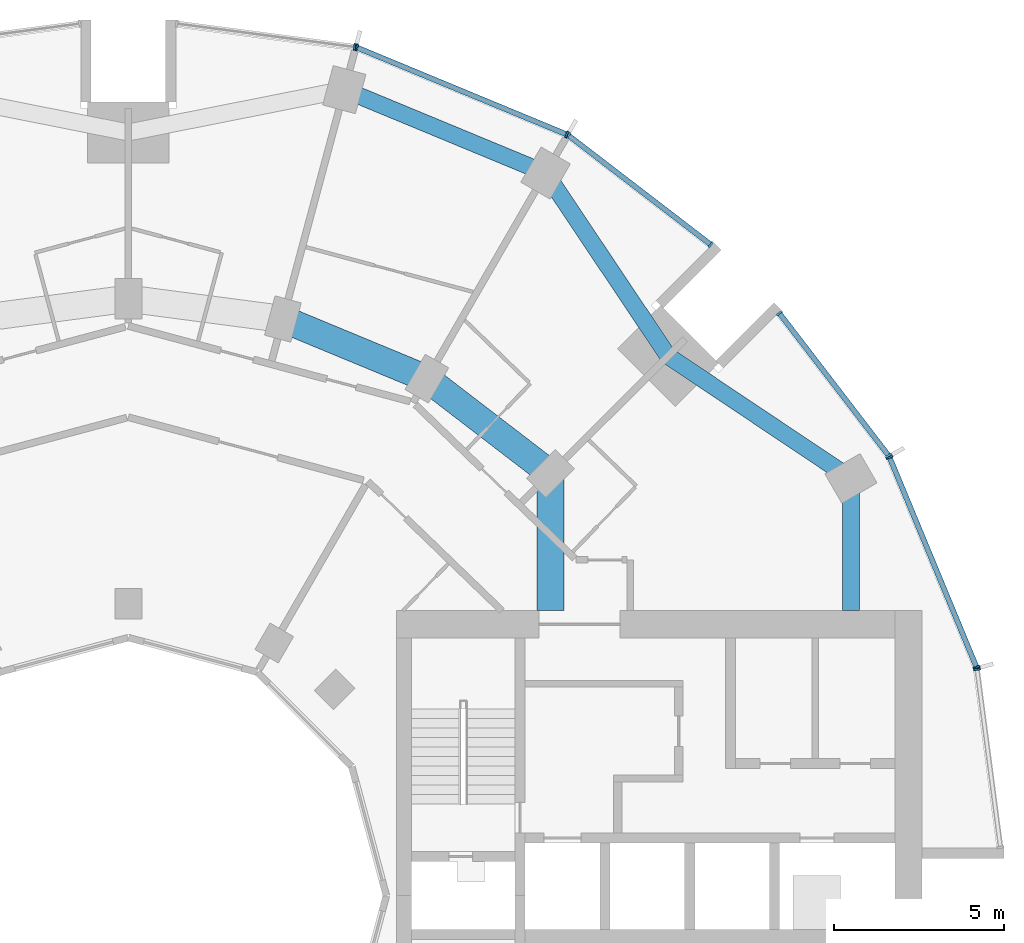
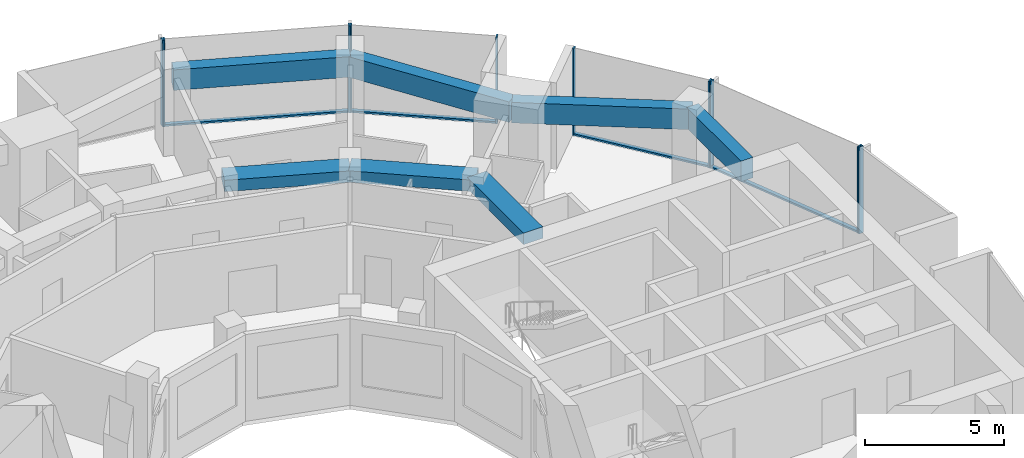
# One storey, part 6 of 15: 14 members, 7 beams, 6 elements without a shape of their own.
"""IFC4 building model written with IfcOpenShell, lengths in metres."""

from ifc_helpers import new_model, si_unit, direction, frame, origin, origin_2d, place, context, subcontext, project, spatial, rectangle, extrude, material, layer, layer_set, material_profile, profile_set, type_object, element, aggregate, save


model = new_model("IFC4")

# Units and contexts
model_context = context("Model", 3, precision=1e-05, world=origin(), true_north=direction((0.0, 1.0)))
body_context = subcontext(model_context, "Body", "Model", "MODEL_VIEW")
ifc_project = project(units=[si_unit("LENGTHUNIT", "METRE"), si_unit("AREAUNIT", "SQUARE_METRE"), si_unit("VOLUMEUNIT", "CUBIC_METRE"), si_unit("PLANEANGLEUNIT", "RADIAN"), si_unit("MASSUNIT", "GRAM", prefix="KILO")], contexts=[model_context])

# Site, building, storey
site_placement = place(None, origin())
site = spatial("IfcSite", under=ifc_project, at=site_placement, CompositionType="ELEMENT")
building_placement = place(site_placement, origin())
building = spatial("IfcBuilding", under=site, at=building_placement, Name="Torre Brocal", CompositionType="ELEMENT")
storey_placement = place(building_placement, frame((0.0, 0.0, 47.800048828125)))
storey = spatial("IfcBuildingStorey", under=building, at=storey_placement, Name="L10", CompositionType="ELEMENT", Elevation=47.800048828125)

# Curtain wall, members
ifc_material_1 = material(Name="Aluminium and glass", Category="aluminium")
ifc_layer_1 = layer(ifc_material_1, 0.199951171875)
ifc_layer_set_1 = layer_set([ifc_layer_1], Name="Aluminium and glass")
curtain_wall_type_1 = type_object("IfcCurtainWallType", Name="CW-1 CURTAIN WALL 3800 HIGH", PredefinedType="NOTDEFINED", material=ifc_layer_set_1)
curtain_wall_1_placement = place(storey_placement, origin())
curtain_wall_1 = element("IfcCurtainWall", 1, at=curtain_wall_1_placement, inside=storey, type_object=curtain_wall_type_1, Name="CW-1 RUN 2", PredefinedType="NOTDEFINED")
ifc_material_2 = material(Name="Aluminium, dark anodised", Category="aluminium")
ifc_material_profile_1 = material_profile(ifc_material_2, rectangle(XDim=0.199951171875, YDim=0.06005859375, at=origin_2d()), Name="CW-1 MULLION 60X200")
ifc_profile_set_1 = profile_set([ifc_material_profile_1], Name="Aluminium, dark anodised")
member_type_1 = type_object("IfcMemberType", Name="CW-1 MULLION 60X200", PredefinedType="MULLION", material=ifc_profile_set_1)
member_1_placement = place(storey_placement, frame((105.005126953125, 81.73095703125, 0.0), z_axis=(0.0, 0.0, 1.0), x_axis=(-0.923879532525, -0.382683432333, 0.0)))
member_1 = element("IfcMember", 2, at=member_1_placement, type_object=member_type_1, Name="CW1-1 mullion 1", PredefinedType="MULLION", context=body_context, shape_type="SweptSolid", body=[
    extrude(rectangle(XDim=0.199951171875, YDim=0.06005859375, at=origin_2d()), origin(), (0.0, 0.0, 1.0), 3.800048828125),
])
member_2_placement = place(storey_placement, frame((102.440673828125, 87.921875, 0.0), z_axis=(0.0, 0.0, 1.0), x_axis=(-0.923879532525, -0.382683432333, 0.0)))
member_2 = element("IfcMember", 3, at=member_2_placement, type_object=member_type_1, Name="CW1-1 mullion 2", PredefinedType="MULLION", context=body_context, shape_type="SweptSolid", body=[
    extrude(rectangle(XDim=0.199951171875, YDim=0.06005859375, at=origin_2d()), origin(), (0.0, 0.0, 1.0), 3.800048828125),
])

curtain_wall_2_placement = place(storey_placement, origin())
curtain_wall_2 = element("IfcCurtainWall", 4, at=curtain_wall_2_placement, inside=storey, type_object=curtain_wall_type_1, Name="CW-1 RUN 3", PredefinedType="NOTDEFINED")
member_3_placement = place(storey_placement, frame((102.4111328125, 87.973388671875, 0.0), z_axis=(0.0, 0.0, 1.0), x_axis=(-0.793353340259, -0.60876142905, 0.0)))
member_3 = element("IfcMember", 5, at=member_3_placement, type_object=member_type_1, Name="CW1-1 mullion 1", PredefinedType="MULLION", context=body_context, shape_type="SweptSolid", body=[
    extrude(rectangle(XDim=0.199951171875, YDim=0.06005859375, at=origin_2d()), origin(), (0.0, 0.0, 1.0), 3.800048828125),
])
member_4_placement = place(storey_placement, frame((99.19140625, 92.16943359375, 0.0), z_axis=(0.0, 0.0, 1.0), x_axis=(-0.793353340259, -0.60876142905, 0.0)))
member_4 = element("IfcMember", 6, at=member_4_placement, type_object=member_type_1, Name="CW1-1 mullion 2", PredefinedType="MULLION", context=body_context, shape_type="SweptSolid", body=[
    extrude(rectangle(XDim=0.199951171875, YDim=0.06005859375, at=origin_2d()), origin(), (0.0, 0.0, 1.0), 3.800048828125),
])

curtain_wall_3_placement = place(storey_placement, origin())
curtain_wall_3 = element("IfcCurtainWall", 7, at=curtain_wall_3_placement, inside=storey, type_object=curtain_wall_type_1, Name="CW-1 RUN 4", PredefinedType="NOTDEFINED")
member_5_placement = place(storey_placement, frame((97.16943359375, 94.19140625, 0.0), z_axis=(0.0, 0.0, 1.0), x_axis=(-0.60876142905, -0.793353340259, 0.0)))
member_5 = element("IfcMember", 8, at=member_5_placement, type_object=member_type_1, Name="CW1-1 mullion 1", PredefinedType="MULLION", context=body_context, shape_type="SweptSolid", body=[
    extrude(rectangle(XDim=0.199951171875, YDim=0.06005859375, at=origin_2d()), origin(), (0.0, 0.0, 1.0), 3.800048828125),
])
member_6_placement = place(storey_placement, frame((92.973388671875, 97.4111328125, 0.0), z_axis=(0.0, 0.0, 1.0), x_axis=(-0.60876142905, -0.793353340259, 0.0)))
member_6 = element("IfcMember", 9, at=member_6_placement, type_object=member_type_1, Name="CW1-1 mullion 2", PredefinedType="MULLION", context=body_context, shape_type="SweptSolid", body=[
    extrude(rectangle(XDim=0.199951171875, YDim=0.06005859375, at=origin_2d()), origin(), (0.0, 0.0, 1.0), 3.800048828125),
])

curtain_wall_4_placement = place(storey_placement, origin())
curtain_wall_4 = element("IfcCurtainWall", 10, at=curtain_wall_4_placement, inside=storey, type_object=curtain_wall_type_1, Name="CW-1 RUN 5", PredefinedType="NOTDEFINED")
member_7_placement = place(storey_placement, frame((92.921875, 97.440673828125, 0.0), z_axis=(0.0, 0.0, 1.0), x_axis=(-0.382683432333, -0.923879532525, 0.0)))
member_7 = element("IfcMember", 11, at=member_7_placement, type_object=member_type_1, Name="CW1-1 mullion 1", PredefinedType="MULLION", context=body_context, shape_type="SweptSolid", body=[
    extrude(rectangle(XDim=0.199951171875, YDim=0.06005859375, at=origin_2d()), origin(), (0.0, 0.0, 1.0), 3.800048828125),
])
member_8_placement = place(storey_placement, frame((86.73095703125, 100.005126953125, 0.0), z_axis=(0.0, 0.0, 1.0), x_axis=(-0.382683432333, -0.923879532525, 0.0)))
member_8 = element("IfcMember", 12, at=member_8_placement, type_object=member_type_1, Name="CW1-1 mullion 2", PredefinedType="MULLION", context=body_context, shape_type="SweptSolid", body=[
    extrude(rectangle(XDim=0.199951171875, YDim=0.06005859375, at=origin_2d()), origin(), (0.0, 0.0, 1.0), 3.800048828125),
])

# Curtain wall, member
curtain_wall_5_placement = place(storey_placement, origin())
curtain_wall_5 = element("IfcCurtainWall", 13, at=curtain_wall_5_placement, inside=storey, type_object=curtain_wall_type_1, Name="CW-1 RUN 6", PredefinedType="NOTDEFINED")
member_9_placement = place(storey_placement, frame((86.67333984375, 100.0205078125, 0.0), z_axis=(0.0, 0.0, 1.0), x_axis=(-0.13052619222, -0.991444861374, 0.0)))
member_9 = element("IfcMember", 14, at=member_9_placement, type_object=member_type_1, Name="CW1-1 mullion 1", PredefinedType="MULLION", context=body_context, shape_type="SweptSolid", body=[
    extrude(rectangle(XDim=0.199951171875, YDim=0.06005859375, at=origin_2d()), origin(), (0.0, 0.0, 1.0), 3.800048828125),
])
aggregate(curtain_wall_5, [member_9])

# Member
ifc_material_3 = material(Name="Aluminium, dark anodised", Category="aluminium")
ifc_material_profile_2 = material_profile(ifc_material_3, rectangle(XDim=0.159912109375, YDim=0.080078125, at=origin_2d()), Name="CW-1 TRANSOM 160X80")
ifc_profile_set_2 = profile_set([ifc_material_profile_2], Name="Aluminium, dark anodised")
member_type_2 = type_object("IfcMemberType", Name="CW-1 TRANSOM 160X80", PredefinedType="USERDEFINED", material=ifc_profile_set_2)
member_10_placement = place(storey_placement, frame((104.99365234375, 81.758544921875, 0.0400390625), z_axis=(-0.38266457234, 0.923887344364, 0.0), x_axis=(-0.923887344364, -0.38266457234, 0.0)))
member_10 = element("IfcMember", 15, at=member_10_placement, type_object=member_type_2, Name="CW1-1 transom 1.1", ObjectType="TRANSOM", PredefinedType="USERDEFINED", context=body_context, shape_type="SweptSolid", body=[
    extrude(rectangle(XDim=0.159912109375, YDim=0.080078125, at=origin_2d()), origin(), (0.0, 0.0, 1.0), 6.640869140625),
])

aggregate(curtain_wall_1, [member_1, member_2, member_10])

member_11_placement = place(storey_placement, frame((102.392822265625, 87.9970703125, 0.0400390625), z_axis=(-0.60874908096, 0.79336281513, 0.0), x_axis=(-0.79336281513, -0.60874908096, 0.0)))
member_11 = element("IfcMember", 16, at=member_11_placement, type_object=member_type_2, Name="CW1-1 transom 1.1", ObjectType="TRANSOM", PredefinedType="USERDEFINED", context=body_context, shape_type="SweptSolid", body=[
    extrude(rectangle(XDim=0.159912109375, YDim=0.080078125, at=origin_2d()), origin(), (0.0, 0.0, 1.0), 5.22900390625),
])

aggregate(curtain_wall_2, [member_3, member_4, member_11])

member_12_placement = place(storey_placement, frame((97.1455078125, 94.209716796875, 0.0400390625), z_axis=(-0.79336281513, 0.60874908096, 0.0), x_axis=(-0.60874908096, -0.79336281513, 0.0)))
member_12 = element("IfcMember", 17, at=member_12_placement, type_object=member_type_2, Name="CW1-1 transom 1.1", ObjectType="TRANSOM", PredefinedType="USERDEFINED", context=body_context, shape_type="SweptSolid", body=[
    extrude(rectangle(XDim=0.159912109375, YDim=0.080078125, at=origin_2d()), origin(), (0.0, 0.0, 1.0), 5.22900390625),
])

aggregate(curtain_wall_3, [member_5, member_6, member_12])

member_13_placement = place(storey_placement, frame((92.89404296875, 97.452392578125, 0.0400390625), z_axis=(-0.923887344364, 0.38266457234, 0.0), x_axis=(-0.38266457234, -0.923887344364, 0.0)))
member_13 = element("IfcMember", 18, at=member_13_placement, type_object=member_type_2, Name="CW1-1 transom 1.1", ObjectType="TRANSOM", PredefinedType="USERDEFINED", context=body_context, shape_type="SweptSolid", body=[
    extrude(rectangle(XDim=0.159912109375, YDim=0.080078125, at=origin_2d()), origin(), (0.0, 0.0, 1.0), 6.640869140625),
])

aggregate(curtain_wall_4, [member_7, member_8, member_13])

# Curtain wall, member
ifc_material_4 = material(Name="Aluminium and glass", Category="aluminium")
ifc_layer_2 = layer(ifc_material_4, 0.199951171875)
ifc_layer_set_2 = layer_set([ifc_layer_2], Name="Aluminium and glass")
curtain_wall_type_2 = type_object("IfcCurtainWallType", Name="CW-1B CURTAIN WALL 3800 HIGH", PredefinedType="NOTDEFINED", material=ifc_layer_set_2)
curtain_wall_6_placement = place(storey_placement, origin())
curtain_wall_6 = element("IfcCurtainWall", 19, at=curtain_wall_6_placement, inside=storey, type_object=curtain_wall_type_2, Name="CW-1B RUN 1", PredefinedType="NOTDEFINED")
ifc_material_5 = material(Name="Aluminium, dark anodised", Category="aluminium")
ifc_material_profile_3 = material_profile(ifc_material_5, rectangle(XDim=0.199951171875, YDim=0.06005859375, at=origin_2d()), Name="CW-1B MULLION 60X200")
ifc_profile_set_3 = profile_set([ifc_material_profile_3], Name="Aluminium, dark anodised")
member_type_3 = type_object("IfcMemberType", Name="CW-1B MULLION 60X200", PredefinedType="MULLION", material=ifc_profile_set_3)
member_14_placement = place(storey_placement, frame((105.0205078125, 81.67333984375, 0.0), z_axis=(0.0, 0.0, 1.0), x_axis=(-0.991444861374, -0.13052619222, 0.0)))
member_14 = element("IfcMember", 20, at=member_14_placement, type_object=member_type_3, Name="CW1B-1 mullion 2", PredefinedType="MULLION", context=body_context, shape_type="SweptSolid", body=[
    extrude(rectangle(XDim=0.199951171875, YDim=0.06005859375, at=origin_2d()), origin(), (0.0, 0.0, 1.0), 3.800048828125),
])
aggregate(curtain_wall_6, [member_14])

# Beams
ifc_material_6 = material(Name="Concrete C50", Category="concrete")
ifc_material_profile_4 = material_profile(ifc_material_6, rectangle(XDim=0.800048828125, YDim=0.5, at=origin_2d()), Name="RC 800X500")
ifc_profile_set_4 = profile_set([ifc_material_profile_4], Name="Concrete C50")
beam_type_1 = type_object("IfcBeamType", Name="RC BEAM 800X500 C50 TOP 3480", PredefinedType="BEAM", material=ifc_profile_set_4)
beam_1_placement = place(storey_placement, frame((92.445068359375, 87.445068359375, 3.22998046875), z_axis=(-0.793358265959, 0.6087550097, 0.0), x_axis=(-0.6087550097, -0.793358265959, 0.0)))
element("IfcBeam", 21, at=beam_1_placement, inside=storey, type_object=beam_type_1, Name="Beam BT-19", PredefinedType="BEAM", context=body_context, shape_type="SweptSolid", body=[
    extrude(rectangle(XDim=0.800048828125, YDim=0.5, at=origin_2d()), origin(), (0.0, 0.0, 1.0), 4.594482421875),
])
beam_2_placement = place(storey_placement, frame((88.800048828125, 90.241943359375, 3.22998046875), z_axis=(-0.923878240166, 0.382686552348, 0.0), x_axis=(-0.382686552348, -0.923878240166, 0.0)))
element("IfcBeam", 22, at=beam_2_placement, inside=storey, type_object=beam_type_1, Name="Beam BT-19", PredefinedType="BEAM", context=body_context, shape_type="SweptSolid", body=[
    extrude(rectangle(XDim=0.800048828125, YDim=0.5, at=origin_2d()), origin(), (0.0, 0.0, 1.0), 4.5947265625),
])
beam_3_placement = place(storey_placement, frame((92.445068359375, 87.445068359375, 3.22998046875), z_axis=(0.0, -1.0, 0.0), x_axis=(1.0, 0.0, 0.0)))
element("IfcBeam", 23, at=beam_3_placement, inside=storey, type_object=beam_type_1, Name="Beam BT-19", PredefinedType="BEAM", context=body_context, shape_type="SweptSolid", body=[
    extrude(rectangle(XDim=0.800048828125, YDim=0.5, at=origin_2d()), origin(), (0.0, 0.0, 1.0), 4.045166015625),
])
ifc_material_7 = material(Name="Concrete C50", Category="concrete")
ifc_material_profile_5 = material_profile(ifc_material_7, rectangle(XDim=0.5, YDim=0.89990234375, at=origin_2d()), Name="RC 500X900")
ifc_profile_set_5 = profile_set([ifc_material_profile_5], Name="Concrete C50")
beam_type_2 = type_object("IfcBeamType", Name="RC SPANDREL BEAM 500X900 C50 TOP 3480", PredefinedType="SPANDREL", material=ifc_profile_set_5)
for number, where, z_axis, x_axis, name in (
    (24, (101.30419921875, 87.300048828125, 3.030029296875), (-0.831076844476, 0.556157602282, 0.0), (-0.556157602282, -0.831076844476, 0.0), "Beam BT-20"),
    (25, (95.909912109375, 90.909912109375, 3.030029296875), (-0.556157602282, 0.831076844476, 0.0), (-0.831076844476, -0.556157602282, 0.0), "Beam BT-20"),
):
    element("IfcBeam", number, at=place(storey_placement, frame(where, z_axis=z_axis, x_axis=x_axis)), inside=storey, type_object=beam_type_2, Name=name, PredefinedType="SPANDREL", context=body_context, shape_type="SweptSolid", body=[
        extrude(rectangle(XDim=0.5, YDim=0.89990234375, at=origin_2d()), origin(), (0.0, 0.0, 1.0), 6.49072265625),
    ])
beam_4_placement = place(storey_placement, frame((92.300048828125, 96.30419921875, 3.030029296875), z_axis=(-0.923882462513, 0.382676358639, 0.0), x_axis=(-0.382676358639, -0.923882462513, 0.0)))
element("IfcBeam", 26, at=beam_4_placement, inside=storey, type_object=beam_type_2, Name="Beam BT-20", PredefinedType="SPANDREL", context=body_context, shape_type="SweptSolid", body=[
    extrude(rectangle(XDim=0.5, YDim=0.89990234375, at=origin_2d()), origin(), (0.0, 0.0, 1.0), 6.421875),
])
beam_5_placement = place(storey_placement, frame((101.30419921875, 87.300048828125, 3.030029296875), z_axis=(0.0, -1.0, 0.0), x_axis=(1.0, 0.0, 0.0)))
element("IfcBeam", 27, at=beam_5_placement, inside=storey, type_object=beam_type_2, Name="Beam BT-20", PredefinedType="SPANDREL", context=body_context, shape_type="SweptSolid", body=[
    extrude(rectangle(XDim=0.5, YDim=0.89990234375, at=origin_2d()), origin(), (0.0, 0.0, 1.0), 3.900146484375),
])

save(model, "model.ifc")
